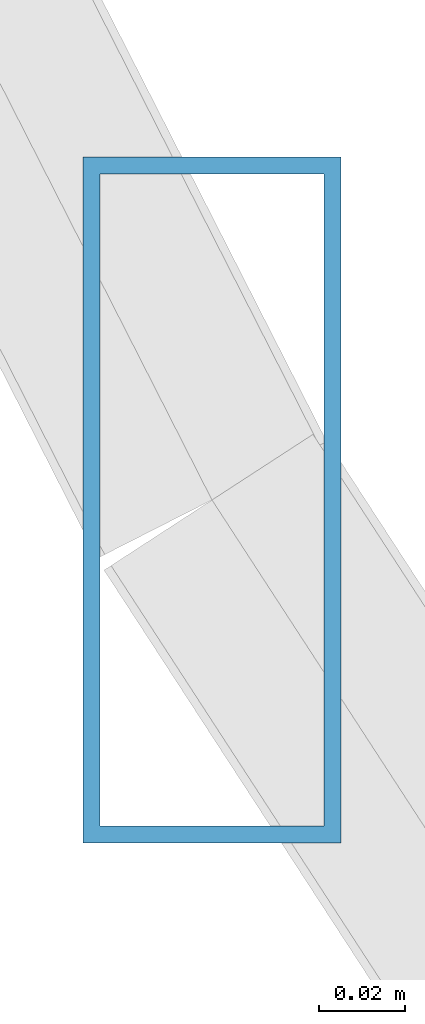
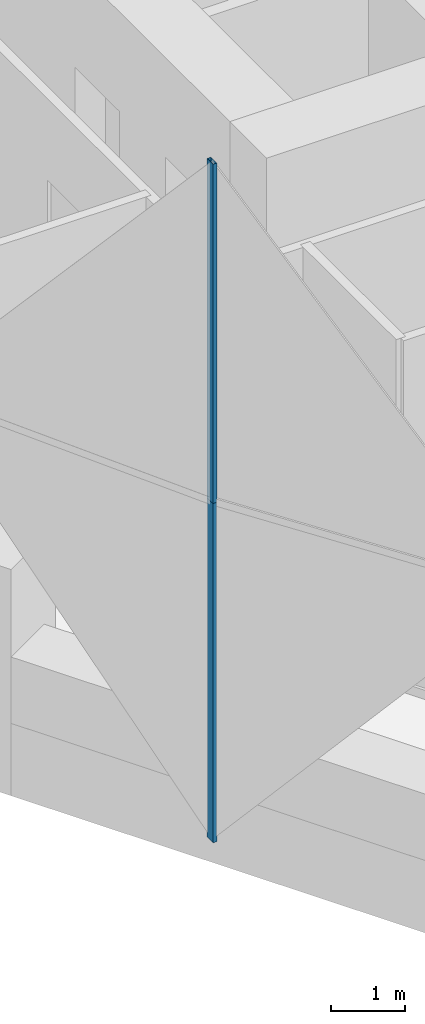
# One storey, part 9 of 38: 2 members, 1 element without a shape of its own.
"""IFC4 building model written with IfcOpenShell, lengths in metres."""

from ifc_helpers import new_model, si_unit, direction, frame, origin, origin_2d, place, context, subcontext, project, spatial, hollow_rectangle, extrude, material, material_profile, profile_set, type_object, element, aggregate, save


model = new_model("IFC4")

# Units and contexts
model_context = context("Model", 3, precision=1e-05, world=origin(), true_north=direction((0.0, 1.0)))
body_context = subcontext(model_context, "Body", "Model", "MODEL_VIEW")
ifc_project = project(units=[si_unit("LENGTHUNIT", "METRE"), si_unit("AREAUNIT", "SQUARE_METRE"), si_unit("VOLUMEUNIT", "CUBIC_METRE"), si_unit("PLANEANGLEUNIT", "RADIAN"), si_unit("MASSUNIT", "GRAM", prefix="KILO")], contexts=[model_context])

# Site, building, storey
site_placement = place(None, origin())
site = spatial("IfcSite", under=ifc_project, at=site_placement, CompositionType="ELEMENT")
building_placement = place(site_placement, origin())
building = spatial("IfcBuilding", under=site, at=building_placement, Name="Ostrander Bayou Hotel Tower", CompositionType="ELEMENT")
storey_placement = place(building_placement, frame((0.0, 0.0, 96.75)))
storey = spatial("IfcBuildingStorey", under=building, at=storey_placement, Name="L24", CompositionType="ELEMENT", Elevation=96.75)

# Curtain wall, members
ifc_material_1 = material(Name="Aluminium and clear glass", Category="aluminium")
curtain_wall_type = type_object("IfcCurtainWallType", Name="CW-LAT lattice glazing", PredefinedType="NOTDEFINED", material=ifc_material_1)
curtain_wall_placement = place(storey_placement, origin())
curtain_wall = element("IfcCurtainWall", 1, at=curtain_wall_placement, inside=storey, type_object=curtain_wall_type, Name="CW-LAT L24 SW 1", PredefinedType="NOTDEFINED")
ifc_material_2 = material(Name="Aluminium", Category="aluminium")
ifc_material_profile = material_profile(ifc_material_2, hollow_rectangle(XDim=0.06005859375, YDim=0.159912109375, WallThickness=0.00390625, at=origin_2d()))
ifc_profile_set = profile_set([ifc_material_profile], Name="Aluminium")
member_type = type_object("IfcMemberType", Name="CW-LA mullion 60 x 160 mm", PredefinedType="MULLION", material=ifc_profile_set)
member_1_placement = place(storey_placement, frame((-17.814208984375, -10.284912109375, -0.60009765625), z_axis=(0.0, 0.0, 1.0), x_axis=(1.0, 0.0, 0.0)))
member_1 = element("IfcMember", 2, at=member_1_placement, type_object=member_type, Name="CW-LAT mullion 4", PredefinedType="MULLION", context=body_context, shape_type="SweptSolid", body=[
    extrude(hollow_rectangle(XDim=0.06005859375, YDim=0.159912109375, WallThickness=0.00390625, at=origin_2d()), origin(), (0.0, 0.0, 1.0), 5.625),
])
member_2_placement = place(storey_placement, frame((-17.814208984375, -10.284912109375, 5.02490234375), z_axis=(0.0, 0.0, 1.0), x_axis=(1.0, 0.0, 0.0)))
member_2 = element("IfcMember", 3, at=member_2_placement, type_object=member_type, Name="CW-LAT mullion 5", PredefinedType="MULLION", context=body_context, shape_type="SweptSolid", body=[
    extrude(hollow_rectangle(XDim=0.06005859375, YDim=0.159912109375, WallThickness=0.00390625, at=origin_2d()), origin(), (0.0, 0.0, 1.0), 5.625),
])
aggregate(curtain_wall, [member_1, member_2])

save(model, "model.ifc")
